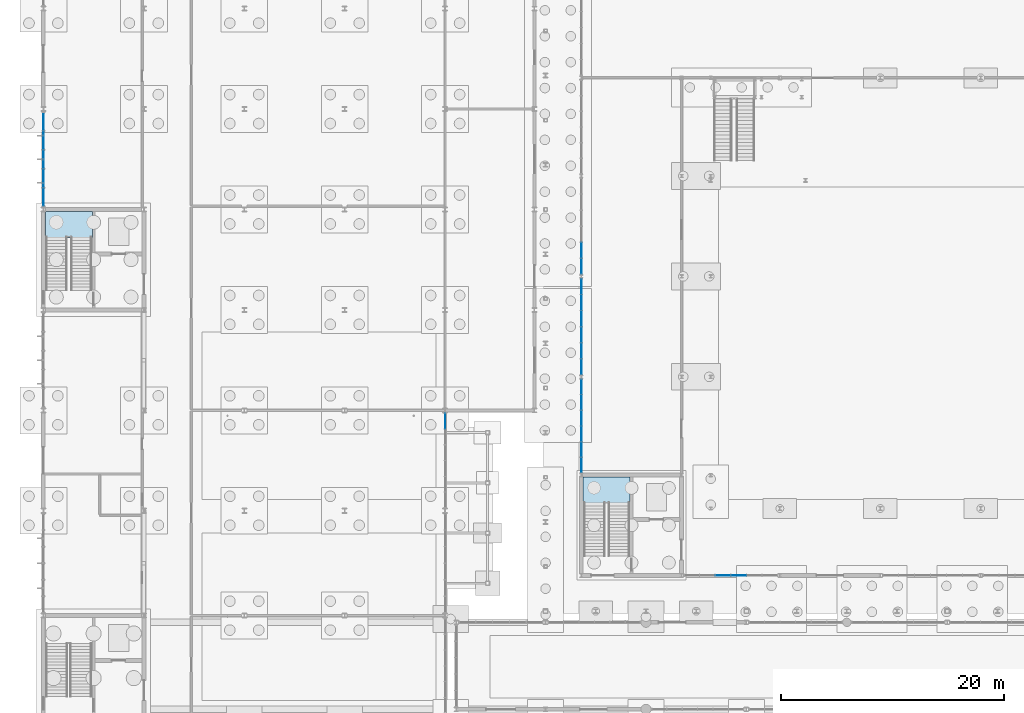
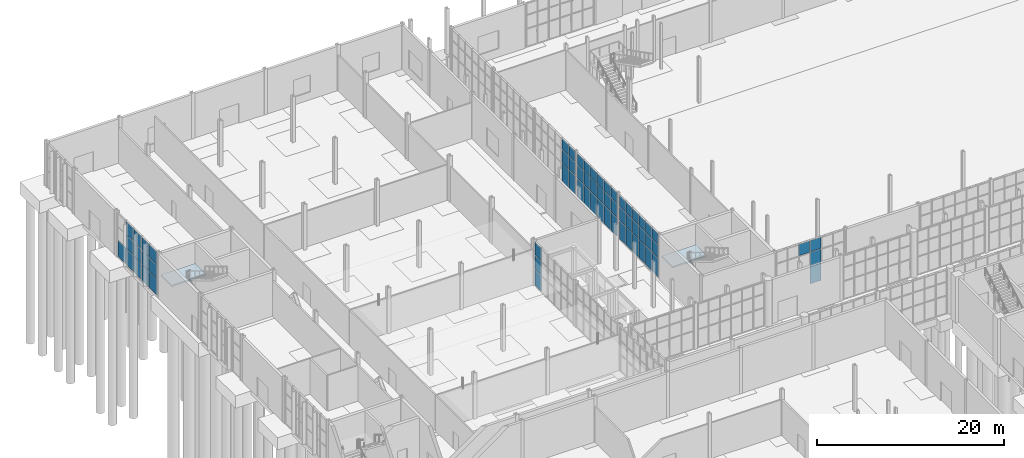
# One storey, part 81 of 131: 62 plates, 2 slabs, 8 elements without a shape of their own.
"""IFC4 building model written with IfcOpenShell, lengths in metres."""

from ifc_helpers import new_model, si_unit, direction, frame, origin, origin_2d, place, context, subcontext, project, spatial, polyline, rectangle, outline, extrude, material, layer, layer_set, type_object, element, aggregate, save


model = new_model("IFC4")

# Units and contexts
model_context = context("Model", 3, precision=1e-05, world=origin(), true_north=direction((0.0, 1.0)))
body_context = subcontext(model_context, "Body", "Model", "MODEL_VIEW")
ifc_project = project(units=[si_unit("LENGTHUNIT", "METRE"), si_unit("AREAUNIT", "SQUARE_METRE"), si_unit("VOLUMEUNIT", "CUBIC_METRE"), si_unit("PLANEANGLEUNIT", "RADIAN"), si_unit("MASSUNIT", "GRAM", prefix="KILO")], contexts=[model_context])

# Site, building, storey
site_placement = place(None, origin())
site = spatial("IfcSite", under=ifc_project, at=site_placement, CompositionType="ELEMENT")
building_placement = place(site_placement, origin())
building = spatial("IfcBuilding", under=site, at=building_placement, Name="Cazmaro Siding Exhibition Halls", CompositionType="ELEMENT")
storey_placement = place(building_placement, origin())
storey = spatial("IfcBuildingStorey", under=building, at=storey_placement, Name="L00", CompositionType="ELEMENT", Elevation=0.0)

# Curtain wall, plates
ifc_material_1 = material(Name="Anodized Bronze Aluminum and Solar-Control Low-E Glazing", Category="aluminium")
ifc_layer_1 = layer(ifc_material_1, 0.179931640625)
ifc_layer_set_1 = layer_set([ifc_layer_1], Name="Anodized Bronze Aluminum and Solar-Control Low-E Glazing")
curtain_wall_type_1 = type_object("IfcCurtainWallType", Name="CWS-01", PredefinedType="USERDEFINED", material=ifc_layer_set_1)
curtain_wall_1_placement = place(storey_placement, origin())
curtain_wall_1 = element("IfcCurtainWall", 1, at=curtain_wall_1_placement, inside=storey, type_object=curtain_wall_type_1, Name="Glazed Curtain Wall CWS-01 CW-003", ObjectType="GLAZED CURTAIN WALL", PredefinedType="USERDEFINED")
ifc_material_2 = material(Name="Solar-Control Low-E Double Insulating Glass", Category="glass")
ifc_layer_2 = layer(ifc_material_2, 0.02392578125)
ifc_layer_set_2 = layer_set([ifc_layer_2], Name="Solar-Control Low-E Double Insulating Glass")
plate_type_1 = type_object("IfcPlateType", Name="CWP-01", PredefinedType="CURTAIN_PANEL", material=ifc_layer_set_2)
plate_1_placement = place(storey_placement, frame((60.8994140625, 67.199951171875, 4.22998046875), z_axis=(0.0, 0.0, 1.0), x_axis=(1.0, 0.0, 0.0)))
plate_1 = element("IfcPlate", 2, at=plate_1_placement, type_object=plate_type_1, Name="CWS-01 panel 3.3", PredefinedType="CURTAIN_PANEL", context=body_context, shape_type="SweptSolid", body=[
    extrude(rectangle(XDim=1.341064453125, YDim=0.02392578125, at=origin_2d()), origin(), (0.0, 0.0, 1.0), 1.489990234375),
])
plate_2_placement = place(storey_placement, frame((62.300537109375, 67.199951171875, 0.06005859375), z_axis=(0.0, 0.0, 1.0), x_axis=(1.0, 0.0, 0.0)))
plate_2 = element("IfcPlate", 3, at=plate_2_placement, type_object=plate_type_1, Name="CWS-01 panel 4.1", PredefinedType="CURTAIN_PANEL", context=body_context, shape_type="SweptSolid", body=[
    extrude(rectangle(XDim=1.341064453125, YDim=0.02392578125, at=origin_2d()), origin(), (0.0, 0.0, 1.0), 2.31005859375),
])
plate_3_placement = place(storey_placement, frame((62.300537109375, 67.199951171875, 2.43017578125), z_axis=(0.0, 0.0, 1.0), x_axis=(1.0, 0.0, 0.0)))
plate_3 = element("IfcPlate", 4, at=plate_3_placement, type_object=plate_type_1, Name="CWS-01 panel 4.2", PredefinedType="CURTAIN_PANEL", context=body_context, shape_type="SweptSolid", body=[
    extrude(rectangle(XDim=1.341064453125, YDim=0.02392578125, at=origin_2d()), origin(), (0.0, 0.0, 1.0), 1.739990234375),
])
plate_4_placement = place(storey_placement, frame((62.300537109375, 67.199951171875, 4.22998046875), z_axis=(0.0, 0.0, 1.0), x_axis=(1.0, 0.0, 0.0)))
plate_4 = element("IfcPlate", 5, at=plate_4_placement, type_object=plate_type_1, Name="CWS-01 panel 4.3", PredefinedType="CURTAIN_PANEL", context=body_context, shape_type="SweptSolid", body=[
    extrude(rectangle(XDim=1.341064453125, YDim=0.02392578125, at=origin_2d()), origin(), (0.0, 0.0, 1.0), 1.489990234375),
])
aggregate(curtain_wall_1, [plate_1, plate_2, plate_3, plate_4])

curtain_wall_2_placement = place(storey_placement, origin())
curtain_wall_2 = element("IfcCurtainWall", 6, at=curtain_wall_2_placement, inside=storey, type_object=curtain_wall_type_1, Name="Glazed Curtain Wall CWS-01 CW-226", ObjectType="GLAZED CURTAIN WALL", PredefinedType="USERDEFINED")
plate_5_placement = place(storey_placement, frame((36.0, 81.024169921875, 0.06005859375), z_axis=(0.0, 0.0, 1.0), x_axis=(0.0, 1.0, 0.0)))
plate_5 = element("IfcPlate", 7, at=plate_5_placement, type_object=plate_type_1, Name="CWS-01 panel 6.1", PredefinedType="CURTAIN_PANEL", context=body_context, shape_type="SweptSolid", body=[
    extrude(rectangle(XDim=1.32568359375, YDim=0.02392578125, at=origin_2d()), origin(), (0.0, 0.0, 1.0), 2.110107421875),
])
plate_6_placement = place(storey_placement, frame((36.0, 81.024169921875, 2.22998046875), z_axis=(0.0, 0.0, 1.0), x_axis=(0.0, 1.0, 0.0)))
plate_6 = element("IfcPlate", 8, at=plate_6_placement, type_object=plate_type_1, Name="CWS-01 panel 6.2", PredefinedType="CURTAIN_PANEL", context=body_context, shape_type="SweptSolid", body=[
    extrude(rectangle(XDim=1.32568359375, YDim=0.02392578125, at=origin_2d()), origin(), (0.0, 0.0, 1.0), 1.739990234375),
])
plate_7_placement = place(storey_placement, frame((36.0, 81.024169921875, 4.030029296875), z_axis=(0.0, 0.0, 1.0), x_axis=(0.0, 1.0, 0.0)))
plate_7 = element("IfcPlate", 9, at=plate_7_placement, type_object=plate_type_1, Name="CWS-01 panel 6.3", PredefinedType="CURTAIN_PANEL", context=body_context, shape_type="SweptSolid", body=[
    extrude(rectangle(XDim=1.32568359375, YDim=0.02392578125, at=origin_2d()), origin(), (0.0, 0.0, 1.0), 1.68994140625),
])
aggregate(curtain_wall_2, [plate_5, plate_6, plate_7])

ifc_material_3 = material(Name="Anodized Bronze Aluminum and Solar-Control Low-E Glazing", Category="aluminium")
ifc_layer_3 = layer(ifc_material_3, 0.199951171875)
ifc_layer_set_3 = layer_set([ifc_layer_3], Name="Anodized Bronze Aluminum and Solar-Control Low-E Glazing")
curtain_wall_type_2 = type_object("IfcCurtainWallType", Name="CWS-02", PredefinedType="USERDEFINED", material=ifc_layer_set_3)
curtain_wall_3_placement = place(storey_placement, origin())
curtain_wall_3 = element("IfcCurtainWall", 10, at=curtain_wall_3_placement, inside=storey, type_object=curtain_wall_type_2, Name="Glazed Curtain Wall CWS-02 CW-228", ObjectType="GLAZED CURTAIN WALL", PredefinedType="USERDEFINED")
ifc_material_4 = material(Name="Solar-Control Low-E Double Insulating Glass", Category="glass")
ifc_layer_4 = layer(ifc_material_4, 0.035888671875)
ifc_layer_set_4 = layer_set([ifc_layer_4], Name="Solar-Control Low-E Double Insulating Glass")
plate_type_2 = type_object("IfcPlateType", Name="CWP-02", PredefinedType="CURTAIN_PANEL", material=ifc_layer_set_4)
plate_8_placement = place(storey_placement, frame((0.0, 107.88134765625, 0.06494140625), z_axis=(0.0, 0.0, 1.0), x_axis=(0.0, -1.0, 0.0)))
plate_8 = element("IfcPlate", 11, at=plate_8_placement, type_object=plate_type_2, Name="CWS-02 panel 1.1", PredefinedType="CURTAIN_PANEL", context=body_context, shape_type="SweptSolid", body=[
    extrude(rectangle(XDim=1.601318359375, YDim=0.035888671875, at=origin_2d()), origin(), (0.0, 0.0, 1.0), 2.1025390625),
])
plate_9_placement = place(storey_placement, frame((0.0, 106.19873046875, 0.06494140625), z_axis=(0.0, 0.0, 1.0), x_axis=(0.0, -1.0, 0.0)))
plate_9 = element("IfcPlate", 12, at=plate_9_placement, type_object=plate_type_2, Name="CWS-02 panel 2.1", PredefinedType="CURTAIN_PANEL", context=body_context, shape_type="SweptSolid", body=[
    extrude(rectangle(XDim=1.6337890625, YDim=0.035888671875, at=origin_2d()), origin(), (0.0, 0.0, 1.0), 2.1025390625),
])
plate_10_placement = place(storey_placement, frame((0.0, 106.19873046875, 2.232421875), z_axis=(0.0, 0.0, 1.0), x_axis=(0.0, -1.0, 0.0)))
plate_10 = element("IfcPlate", 13, at=plate_10_placement, type_object=plate_type_2, Name="CWS-02 panel 2.2", PredefinedType="CURTAIN_PANEL", context=body_context, shape_type="SweptSolid", body=[
    extrude(rectangle(XDim=1.6337890625, YDim=0.035888671875, at=origin_2d()), origin(), (0.0, 0.0, 1.0), 1.735107421875),
])
plate_11_placement = place(storey_placement, frame((0.0, 106.19873046875, 4.032470703125), z_axis=(0.0, 0.0, 1.0), x_axis=(0.0, -1.0, 0.0)))
plate_11 = element("IfcPlate", 14, at=plate_11_placement, type_object=plate_type_2, Name="CWS-02 panel 2.3", PredefinedType="CURTAIN_PANEL", context=body_context, shape_type="SweptSolid", body=[
    extrude(rectangle(XDim=1.6337890625, YDim=0.035888671875, at=origin_2d()), origin(), (0.0, 0.0, 1.0), 1.6826171875),
])
plate_12_placement = place(storey_placement, frame((0.0, 104.5, 0.06494140625), z_axis=(0.0, 0.0, 1.0), x_axis=(0.0, -1.0, 0.0)))
plate_12 = element("IfcPlate", 15, at=plate_12_placement, type_object=plate_type_2, Name="CWS-02 panel 3.1", PredefinedType="CURTAIN_PANEL", context=body_context, shape_type="SweptSolid", body=[
    extrude(rectangle(XDim=1.6337890625, YDim=0.035888671875, at=origin_2d()), origin(), (0.0, 0.0, 1.0), 2.1025390625),
])
plate_13_placement = place(storey_placement, frame((0.0, 104.5, 2.232421875), z_axis=(0.0, 0.0, 1.0), x_axis=(0.0, -1.0, 0.0)))
plate_13 = element("IfcPlate", 16, at=plate_13_placement, type_object=plate_type_2, Name="CWS-02 panel 3.2", PredefinedType="CURTAIN_PANEL", context=body_context, shape_type="SweptSolid", body=[
    extrude(rectangle(XDim=1.6337890625, YDim=0.035888671875, at=origin_2d()), origin(), (0.0, 0.0, 1.0), 1.735107421875),
])
plate_14_placement = place(storey_placement, frame((0.0, 104.5, 4.032470703125), z_axis=(0.0, 0.0, 1.0), x_axis=(0.0, -1.0, 0.0)))
plate_14 = element("IfcPlate", 17, at=plate_14_placement, type_object=plate_type_2, Name="CWS-02 panel 3.3", PredefinedType="CURTAIN_PANEL", context=body_context, shape_type="SweptSolid", body=[
    extrude(rectangle(XDim=1.6337890625, YDim=0.035888671875, at=origin_2d()), origin(), (0.0, 0.0, 1.0), 1.6826171875),
])
plate_15_placement = place(storey_placement, frame((0.0, 102.80126953125, 0.06494140625), z_axis=(0.0, 0.0, 1.0), x_axis=(0.0, -1.0, 0.0)))
plate_15 = element("IfcPlate", 18, at=plate_15_placement, type_object=plate_type_2, Name="CWS-02 panel 4.1", PredefinedType="CURTAIN_PANEL", context=body_context, shape_type="SweptSolid", body=[
    extrude(rectangle(XDim=1.6337890625, YDim=0.035888671875, at=origin_2d()), origin(), (0.0, 0.0, 1.0), 2.1025390625),
])
plate_16_placement = place(storey_placement, frame((0.0, 102.80126953125, 2.232421875), z_axis=(0.0, 0.0, 1.0), x_axis=(0.0, -1.0, 0.0)))
plate_16 = element("IfcPlate", 19, at=plate_16_placement, type_object=plate_type_2, Name="CWS-02 panel 4.2", PredefinedType="CURTAIN_PANEL", context=body_context, shape_type="SweptSolid", body=[
    extrude(rectangle(XDim=1.6337890625, YDim=0.035888671875, at=origin_2d()), origin(), (0.0, 0.0, 1.0), 1.735107421875),
])
plate_17_placement = place(storey_placement, frame((0.0, 102.80126953125, 4.032470703125), z_axis=(0.0, 0.0, 1.0), x_axis=(0.0, -1.0, 0.0)))
plate_17 = element("IfcPlate", 20, at=plate_17_placement, type_object=plate_type_2, Name="CWS-02 panel 4.3", PredefinedType="CURTAIN_PANEL", context=body_context, shape_type="SweptSolid", body=[
    extrude(rectangle(XDim=1.6337890625, YDim=0.035888671875, at=origin_2d()), origin(), (0.0, 0.0, 1.0), 1.6826171875),
])
plate_18_placement = place(storey_placement, frame((0.0, 101.11865234375, 0.06494140625), z_axis=(0.0, 0.0, 1.0), x_axis=(0.0, -1.0, 0.0)))
plate_18 = element("IfcPlate", 21, at=plate_18_placement, type_object=plate_type_2, Name="CWS-02 panel 5.1", PredefinedType="CURTAIN_PANEL", context=body_context, shape_type="SweptSolid", body=[
    extrude(rectangle(XDim=1.601318359375, YDim=0.035888671875, at=origin_2d()), origin(), (0.0, 0.0, 1.0), 2.1025390625),
])
plate_19_placement = place(storey_placement, frame((0.0, 101.11865234375, 2.232421875), z_axis=(0.0, 0.0, 1.0), x_axis=(0.0, -1.0, 0.0)))
plate_19 = element("IfcPlate", 22, at=plate_19_placement, type_object=plate_type_2, Name="CWS-02 panel 5.2", PredefinedType="CURTAIN_PANEL", context=body_context, shape_type="SweptSolid", body=[
    extrude(rectangle(XDim=1.601318359375, YDim=0.035888671875, at=origin_2d()), origin(), (0.0, 0.0, 1.0), 1.735107421875),
])
plate_20_placement = place(storey_placement, frame((0.0, 101.11865234375, 4.032470703125), z_axis=(0.0, 0.0, 1.0), x_axis=(0.0, -1.0, 0.0)))
plate_20 = element("IfcPlate", 23, at=plate_20_placement, type_object=plate_type_2, Name="CWS-02 panel 5.3", PredefinedType="CURTAIN_PANEL", context=body_context, shape_type="SweptSolid", body=[
    extrude(rectangle(XDim=1.601318359375, YDim=0.035888671875, at=origin_2d()), origin(), (0.0, 0.0, 1.0), 1.6826171875),
])
aggregate(curtain_wall_3, [plate_8, plate_9, plate_10, plate_11, plate_12, plate_13, plate_14, plate_15, plate_16, plate_17, plate_18, plate_19, plate_20])

ifc_material_5 = material(Name="Anodized Bronze Aluminum and Solar-Control Low-E Glazing", Category="aluminium")
ifc_layer_5 = layer(ifc_material_5, 0.219970703125)
ifc_layer_set_5 = layer_set([ifc_layer_5], Name="Anodized Bronze Aluminum and Solar-Control Low-E Glazing")
curtain_wall_type_3 = type_object("IfcCurtainWallType", Name="CWS-03", PredefinedType="USERDEFINED", material=ifc_layer_set_5)
curtain_wall_4_placement = place(storey_placement, origin())
curtain_wall_4 = element("IfcCurtainWall", 24, at=curtain_wall_4_placement, inside=storey, type_object=curtain_wall_type_3, Name="Glazed Curtain Wall CWS-03 CW-050", ObjectType="GLAZED CURTAIN WALL", PredefinedType="USERDEFINED")
ifc_material_6 = material(Name="Solar-Control Low-E Double Insulating Glass", Category="glass")
ifc_layer_6 = layer(ifc_material_6, 0.0458984375)
ifc_layer_set_6 = layer_set([ifc_layer_6], Name="Solar-Control Low-E Double Insulating Glass")
plate_type_3 = type_object("IfcPlateType", Name="CWP-03", PredefinedType="CURTAIN_PANEL", material=ifc_layer_set_6)
plate_21_placement = place(storey_placement, frame((48.199951171875, 84.1015625, 0.070068359375), z_axis=(0.0, 0.0, 1.0), x_axis=(0.0, -1.0, 0.0)))
plate_21 = element("IfcPlate", 25, at=plate_21_placement, type_object=plate_type_3, Name="CWS-03 panel 1.1", PredefinedType="CURTAIN_PANEL", context=body_context, shape_type="SweptSolid", body=[
    extrude(rectangle(XDim=1.302734375, YDim=0.0458984375, at=origin_2d()), origin(), (0.0, 0.0, 1.0), 2.39501953125),
])
plate_22_placement = place(storey_placement, frame((48.199951171875, 84.1015625, 2.534912109375), z_axis=(0.0, 0.0, 1.0), x_axis=(0.0, -1.0, 0.0)))
plate_22 = element("IfcPlate", 26, at=plate_22_placement, type_object=plate_type_3, Name="CWS-03 panel 1.2", PredefinedType="CURTAIN_PANEL", context=body_context, shape_type="SweptSolid", body=[
    extrude(rectangle(XDim=1.302734375, YDim=0.0458984375, at=origin_2d()), origin(), (0.0, 0.0, 1.0), 1.72998046875),
])
plate_23_placement = place(storey_placement, frame((48.199951171875, 84.1015625, 4.3349609375), z_axis=(0.0, 0.0, 1.0), x_axis=(0.0, -1.0, 0.0)))
plate_23 = element("IfcPlate", 27, at=plate_23_placement, type_object=plate_type_3, Name="CWS-03 panel 1.3", PredefinedType="CURTAIN_PANEL", context=body_context, shape_type="SweptSolid", body=[
    extrude(rectangle(XDim=1.302734375, YDim=0.0458984375, at=origin_2d()), origin(), (0.0, 0.0, 1.0), 1.375),
])
plate_24_placement = place(storey_placement, frame((48.199951171875, 82.71142578125, 0.070068359375), z_axis=(0.0, 0.0, 1.0), x_axis=(0.0, -1.0, 0.0)))
plate_24 = element("IfcPlate", 28, at=plate_24_placement, type_object=plate_type_3, Name="CWS-03 panel 2.1", PredefinedType="CURTAIN_PANEL", context=body_context, shape_type="SweptSolid", body=[
    extrude(rectangle(XDim=1.337646484375, YDim=0.0458984375, at=origin_2d()), origin(), (0.0, 0.0, 1.0), 2.39501953125),
])
plate_25_placement = place(storey_placement, frame((48.199951171875, 82.71142578125, 2.534912109375), z_axis=(0.0, 0.0, 1.0), x_axis=(0.0, -1.0, 0.0)))
plate_25 = element("IfcPlate", 29, at=plate_25_placement, type_object=plate_type_3, Name="CWS-03 panel 2.2", PredefinedType="CURTAIN_PANEL", context=body_context, shape_type="SweptSolid", body=[
    extrude(rectangle(XDim=1.337646484375, YDim=0.0458984375, at=origin_2d()), origin(), (0.0, 0.0, 1.0), 1.72998046875),
])
plate_26_placement = place(storey_placement, frame((48.199951171875, 82.71142578125, 4.3349609375), z_axis=(0.0, 0.0, 1.0), x_axis=(0.0, -1.0, 0.0)))
plate_26 = element("IfcPlate", 30, at=plate_26_placement, type_object=plate_type_3, Name="CWS-03 panel 2.3", PredefinedType="CURTAIN_PANEL", context=body_context, shape_type="SweptSolid", body=[
    extrude(rectangle(XDim=1.337646484375, YDim=0.0458984375, at=origin_2d()), origin(), (0.0, 0.0, 1.0), 1.375),
])
plate_27_placement = place(storey_placement, frame((48.199951171875, 81.303955078125, 0.070068359375), z_axis=(0.0, 0.0, 1.0), x_axis=(0.0, -1.0, 0.0)))
plate_27 = element("IfcPlate", 31, at=plate_27_placement, type_object=plate_type_3, Name="CWS-03 panel 3.1", PredefinedType="CURTAIN_PANEL", context=body_context, shape_type="SweptSolid", body=[
    extrude(rectangle(XDim=1.337646484375, YDim=0.0458984375, at=origin_2d()), origin(), (0.0, 0.0, 1.0), 2.39501953125),
])
plate_28_placement = place(storey_placement, frame((48.199951171875, 81.303955078125, 2.534912109375), z_axis=(0.0, 0.0, 1.0), x_axis=(0.0, -1.0, 0.0)))
plate_28 = element("IfcPlate", 32, at=plate_28_placement, type_object=plate_type_3, Name="CWS-03 panel 3.2", PredefinedType="CURTAIN_PANEL", context=body_context, shape_type="SweptSolid", body=[
    extrude(rectangle(XDim=1.337646484375, YDim=0.0458984375, at=origin_2d()), origin(), (0.0, 0.0, 1.0), 1.72998046875),
])
plate_29_placement = place(storey_placement, frame((48.199951171875, 81.303955078125, 4.3349609375), z_axis=(0.0, 0.0, 1.0), x_axis=(0.0, -1.0, 0.0)))
plate_29 = element("IfcPlate", 33, at=plate_29_placement, type_object=plate_type_3, Name="CWS-03 panel 3.3", PredefinedType="CURTAIN_PANEL", context=body_context, shape_type="SweptSolid", body=[
    extrude(rectangle(XDim=1.337646484375, YDim=0.0458984375, at=origin_2d()), origin(), (0.0, 0.0, 1.0), 1.375),
])
plate_30_placement = place(storey_placement, frame((48.199951171875, 79.896240234375, 0.070068359375), z_axis=(0.0, 0.0, 1.0), x_axis=(0.0, -1.0, 0.0)))
plate_30 = element("IfcPlate", 34, at=plate_30_placement, type_object=plate_type_3, Name="CWS-03 panel 4.1", PredefinedType="CURTAIN_PANEL", context=body_context, shape_type="SweptSolid", body=[
    extrude(rectangle(XDim=1.337646484375, YDim=0.0458984375, at=origin_2d()), origin(), (0.0, 0.0, 1.0), 2.39501953125),
])
plate_31_placement = place(storey_placement, frame((48.199951171875, 79.896240234375, 2.534912109375), z_axis=(0.0, 0.0, 1.0), x_axis=(0.0, -1.0, 0.0)))
plate_31 = element("IfcPlate", 35, at=plate_31_placement, type_object=plate_type_3, Name="CWS-03 panel 4.2", PredefinedType="CURTAIN_PANEL", context=body_context, shape_type="SweptSolid", body=[
    extrude(rectangle(XDim=1.337646484375, YDim=0.0458984375, at=origin_2d()), origin(), (0.0, 0.0, 1.0), 1.72998046875),
])
plate_32_placement = place(storey_placement, frame((48.199951171875, 79.896240234375, 4.3349609375), z_axis=(0.0, 0.0, 1.0), x_axis=(0.0, -1.0, 0.0)))
plate_32 = element("IfcPlate", 36, at=plate_32_placement, type_object=plate_type_3, Name="CWS-03 panel 4.3", PredefinedType="CURTAIN_PANEL", context=body_context, shape_type="SweptSolid", body=[
    extrude(rectangle(XDim=1.337646484375, YDim=0.0458984375, at=origin_2d()), origin(), (0.0, 0.0, 1.0), 1.375),
])
plate_33_placement = place(storey_placement, frame((48.199951171875, 78.488525390625, 0.070068359375), z_axis=(0.0, 0.0, 1.0), x_axis=(0.0, -1.0, 0.0)))
plate_33 = element("IfcPlate", 37, at=plate_33_placement, type_object=plate_type_3, Name="CWS-03 panel 5.1", PredefinedType="CURTAIN_PANEL", context=body_context, shape_type="SweptSolid", body=[
    extrude(rectangle(XDim=1.337646484375, YDim=0.0458984375, at=origin_2d()), origin(), (0.0, 0.0, 1.0), 2.39501953125),
])
plate_34_placement = place(storey_placement, frame((48.199951171875, 78.488525390625, 2.534912109375), z_axis=(0.0, 0.0, 1.0), x_axis=(0.0, -1.0, 0.0)))
plate_34 = element("IfcPlate", 38, at=plate_34_placement, type_object=plate_type_3, Name="CWS-03 panel 5.2", PredefinedType="CURTAIN_PANEL", context=body_context, shape_type="SweptSolid", body=[
    extrude(rectangle(XDim=1.337646484375, YDim=0.0458984375, at=origin_2d()), origin(), (0.0, 0.0, 1.0), 1.72998046875),
])
plate_35_placement = place(storey_placement, frame((48.199951171875, 78.488525390625, 4.3349609375), z_axis=(0.0, 0.0, 1.0), x_axis=(0.0, -1.0, 0.0)))
plate_35 = element("IfcPlate", 39, at=plate_35_placement, type_object=plate_type_3, Name="CWS-03 panel 5.3", PredefinedType="CURTAIN_PANEL", context=body_context, shape_type="SweptSolid", body=[
    extrude(rectangle(XDim=1.337646484375, YDim=0.0458984375, at=origin_2d()), origin(), (0.0, 0.0, 1.0), 1.375),
])
plate_36_placement = place(storey_placement, frame((48.199951171875, 77.098388671875, 0.070068359375), z_axis=(0.0, 0.0, 1.0), x_axis=(0.0, -1.0, 0.0)))
plate_36 = element("IfcPlate", 40, at=plate_36_placement, type_object=plate_type_3, Name="CWS-03 panel 6.1", PredefinedType="CURTAIN_PANEL", context=body_context, shape_type="SweptSolid", body=[
    extrude(rectangle(XDim=1.302734375, YDim=0.0458984375, at=origin_2d()), origin(), (0.0, 0.0, 1.0), 2.39501953125),
])
plate_37_placement = place(storey_placement, frame((48.199951171875, 77.098388671875, 2.534912109375), z_axis=(0.0, 0.0, 1.0), x_axis=(0.0, -1.0, 0.0)))
plate_37 = element("IfcPlate", 41, at=plate_37_placement, type_object=plate_type_3, Name="CWS-03 panel 6.2", PredefinedType="CURTAIN_PANEL", context=body_context, shape_type="SweptSolid", body=[
    extrude(rectangle(XDim=1.302734375, YDim=0.0458984375, at=origin_2d()), origin(), (0.0, 0.0, 1.0), 1.72998046875),
])
plate_38_placement = place(storey_placement, frame((48.199951171875, 77.098388671875, 4.3349609375), z_axis=(0.0, 0.0, 1.0), x_axis=(0.0, -1.0, 0.0)))
plate_38 = element("IfcPlate", 42, at=plate_38_placement, type_object=plate_type_3, Name="CWS-03 panel 6.3", PredefinedType="CURTAIN_PANEL", context=body_context, shape_type="SweptSolid", body=[
    extrude(rectangle(XDim=1.302734375, YDim=0.0458984375, at=origin_2d()), origin(), (0.0, 0.0, 1.0), 1.375),
])
aggregate(curtain_wall_4, [plate_21, plate_22, plate_23, plate_24, plate_25, plate_26, plate_27, plate_28, plate_29, plate_30, plate_31, plate_32, plate_33, plate_34, plate_35, plate_36, plate_37, plate_38])

curtain_wall_5_placement = place(storey_placement, origin())
curtain_wall_5 = element("IfcCurtainWall", 43, at=curtain_wall_5_placement, inside=storey, type_object=curtain_wall_type_3, Name="Glazed Curtain Wall CWS-03 CW-053", ObjectType="GLAZED CURTAIN WALL", PredefinedType="USERDEFINED")
plate_39_placement = place(storey_placement, frame((48.199951171875, 93.0849609375, 0.070068359375), z_axis=(0.0, 0.0, 1.0), x_axis=(0.0, -1.0, 0.0)))
plate_39 = element("IfcPlate", 44, at=plate_39_placement, type_object=plate_type_3, Name="CWS-03 panel 1.1", PredefinedType="CURTAIN_PANEL", context=body_context, shape_type="SweptSolid", body=[
    extrude(rectangle(XDim=1.3359375, YDim=0.0458984375, at=origin_2d()), origin(), (0.0, 0.0, 1.0), 2.39501953125),
])
plate_40_placement = place(storey_placement, frame((48.199951171875, 93.0849609375, 2.534912109375), z_axis=(0.0, 0.0, 1.0), x_axis=(0.0, -1.0, 0.0)))
plate_40 = element("IfcPlate", 45, at=plate_40_placement, type_object=plate_type_3, Name="CWS-03 panel 1.2", PredefinedType="CURTAIN_PANEL", context=body_context, shape_type="SweptSolid", body=[
    extrude(rectangle(XDim=1.3359375, YDim=0.0458984375, at=origin_2d()), origin(), (0.0, 0.0, 1.0), 1.72998046875),
])
plate_41_placement = place(storey_placement, frame((48.199951171875, 93.0849609375, 4.3349609375), z_axis=(0.0, 0.0, 1.0), x_axis=(0.0, -1.0, 0.0)))
plate_41 = element("IfcPlate", 46, at=plate_41_placement, type_object=plate_type_3, Name="CWS-03 panel 1.3", PredefinedType="CURTAIN_PANEL", context=body_context, shape_type="SweptSolid", body=[
    extrude(rectangle(XDim=1.3359375, YDim=0.0458984375, at=origin_2d()), origin(), (0.0, 0.0, 1.0), 1.375),
])
plate_42_placement = place(storey_placement, frame((48.199951171875, 91.66162109375, 0.070068359375), z_axis=(0.0, 0.0, 1.0), x_axis=(0.0, -1.0, 0.0)))
plate_42 = element("IfcPlate", 47, at=plate_42_placement, type_object=plate_type_3, Name="CWS-03 panel 2.1", PredefinedType="CURTAIN_PANEL", context=body_context, shape_type="SweptSolid", body=[
    extrude(rectangle(XDim=1.37109375, YDim=0.0458984375, at=origin_2d()), origin(), (0.0, 0.0, 1.0), 2.39501953125),
])
plate_43_placement = place(storey_placement, frame((48.199951171875, 91.66162109375, 2.534912109375), z_axis=(0.0, 0.0, 1.0), x_axis=(0.0, -1.0, 0.0)))
plate_43 = element("IfcPlate", 48, at=plate_43_placement, type_object=plate_type_3, Name="CWS-03 panel 2.2", PredefinedType="CURTAIN_PANEL", context=body_context, shape_type="SweptSolid", body=[
    extrude(rectangle(XDim=1.37109375, YDim=0.0458984375, at=origin_2d()), origin(), (0.0, 0.0, 1.0), 1.72998046875),
])
plate_44_placement = place(storey_placement, frame((48.199951171875, 91.66162109375, 4.3349609375), z_axis=(0.0, 0.0, 1.0), x_axis=(0.0, -1.0, 0.0)))
plate_44 = element("IfcPlate", 49, at=plate_44_placement, type_object=plate_type_3, Name="CWS-03 panel 2.3", PredefinedType="CURTAIN_PANEL", context=body_context, shape_type="SweptSolid", body=[
    extrude(rectangle(XDim=1.37109375, YDim=0.0458984375, at=origin_2d()), origin(), (0.0, 0.0, 1.0), 1.375),
])
plate_45_placement = place(storey_placement, frame((48.199951171875, 90.220458984375, 0.070068359375), z_axis=(0.0, 0.0, 1.0), x_axis=(0.0, -1.0, 0.0)))
plate_45 = element("IfcPlate", 50, at=plate_45_placement, type_object=plate_type_3, Name="CWS-03 panel 3.1", PredefinedType="CURTAIN_PANEL", context=body_context, shape_type="SweptSolid", body=[
    extrude(rectangle(XDim=1.37109375, YDim=0.0458984375, at=origin_2d()), origin(), (0.0, 0.0, 1.0), 2.39501953125),
])
plate_46_placement = place(storey_placement, frame((48.199951171875, 90.220458984375, 2.534912109375), z_axis=(0.0, 0.0, 1.0), x_axis=(0.0, -1.0, 0.0)))
plate_46 = element("IfcPlate", 51, at=plate_46_placement, type_object=plate_type_3, Name="CWS-03 panel 3.2", PredefinedType="CURTAIN_PANEL", context=body_context, shape_type="SweptSolid", body=[
    extrude(rectangle(XDim=1.37109375, YDim=0.0458984375, at=origin_2d()), origin(), (0.0, 0.0, 1.0), 1.72998046875),
])
plate_47_placement = place(storey_placement, frame((48.199951171875, 90.220458984375, 4.3349609375), z_axis=(0.0, 0.0, 1.0), x_axis=(0.0, -1.0, 0.0)))
plate_47 = element("IfcPlate", 52, at=plate_47_placement, type_object=plate_type_3, Name="CWS-03 panel 3.3", PredefinedType="CURTAIN_PANEL", context=body_context, shape_type="SweptSolid", body=[
    extrude(rectangle(XDim=1.37109375, YDim=0.0458984375, at=origin_2d()), origin(), (0.0, 0.0, 1.0), 1.375),
])
plate_48_placement = place(storey_placement, frame((48.199951171875, 88.779541015625, 0.070068359375), z_axis=(0.0, 0.0, 1.0), x_axis=(0.0, -1.0, 0.0)))
plate_48 = element("IfcPlate", 53, at=plate_48_placement, type_object=plate_type_3, Name="CWS-03 panel 4.1", PredefinedType="CURTAIN_PANEL", context=body_context, shape_type="SweptSolid", body=[
    extrude(rectangle(XDim=1.37109375, YDim=0.0458984375, at=origin_2d()), origin(), (0.0, 0.0, 1.0), 2.39501953125),
])
plate_49_placement = place(storey_placement, frame((48.199951171875, 88.779541015625, 2.534912109375), z_axis=(0.0, 0.0, 1.0), x_axis=(0.0, -1.0, 0.0)))
plate_49 = element("IfcPlate", 54, at=plate_49_placement, type_object=plate_type_3, Name="CWS-03 panel 4.2", PredefinedType="CURTAIN_PANEL", context=body_context, shape_type="SweptSolid", body=[
    extrude(rectangle(XDim=1.37109375, YDim=0.0458984375, at=origin_2d()), origin(), (0.0, 0.0, 1.0), 1.72998046875),
])
plate_50_placement = place(storey_placement, frame((48.199951171875, 88.779541015625, 4.3349609375), z_axis=(0.0, 0.0, 1.0), x_axis=(0.0, -1.0, 0.0)))
plate_50 = element("IfcPlate", 55, at=plate_50_placement, type_object=plate_type_3, Name="CWS-03 panel 4.3", PredefinedType="CURTAIN_PANEL", context=body_context, shape_type="SweptSolid", body=[
    extrude(rectangle(XDim=1.37109375, YDim=0.0458984375, at=origin_2d()), origin(), (0.0, 0.0, 1.0), 1.375),
])
plate_51_placement = place(storey_placement, frame((48.199951171875, 87.33837890625, 0.070068359375), z_axis=(0.0, 0.0, 1.0), x_axis=(0.0, -1.0, 0.0)))
plate_51 = element("IfcPlate", 56, at=plate_51_placement, type_object=plate_type_3, Name="CWS-03 panel 5.1", PredefinedType="CURTAIN_PANEL", context=body_context, shape_type="SweptSolid", body=[
    extrude(rectangle(XDim=1.37109375, YDim=0.0458984375, at=origin_2d()), origin(), (0.0, 0.0, 1.0), 2.39501953125),
])
plate_52_placement = place(storey_placement, frame((48.199951171875, 87.33837890625, 2.534912109375), z_axis=(0.0, 0.0, 1.0), x_axis=(0.0, -1.0, 0.0)))
plate_52 = element("IfcPlate", 57, at=plate_52_placement, type_object=plate_type_3, Name="CWS-03 panel 5.2", PredefinedType="CURTAIN_PANEL", context=body_context, shape_type="SweptSolid", body=[
    extrude(rectangle(XDim=1.37109375, YDim=0.0458984375, at=origin_2d()), origin(), (0.0, 0.0, 1.0), 1.72998046875),
])
plate_53_placement = place(storey_placement, frame((48.199951171875, 87.33837890625, 4.3349609375), z_axis=(0.0, 0.0, 1.0), x_axis=(0.0, -1.0, 0.0)))
plate_53 = element("IfcPlate", 58, at=plate_53_placement, type_object=plate_type_3, Name="CWS-03 panel 5.3", PredefinedType="CURTAIN_PANEL", context=body_context, shape_type="SweptSolid", body=[
    extrude(rectangle(XDim=1.37109375, YDim=0.0458984375, at=origin_2d()), origin(), (0.0, 0.0, 1.0), 1.375),
])
plate_54_placement = place(storey_placement, frame((48.199951171875, 85.9150390625, 0.070068359375), z_axis=(0.0, 0.0, 1.0), x_axis=(0.0, -1.0, 0.0)))
plate_54 = element("IfcPlate", 59, at=plate_54_placement, type_object=plate_type_3, Name="CWS-03 panel 6.1", PredefinedType="CURTAIN_PANEL", context=body_context, shape_type="SweptSolid", body=[
    extrude(rectangle(XDim=1.3359375, YDim=0.0458984375, at=origin_2d()), origin(), (0.0, 0.0, 1.0), 2.39501953125),
])
plate_55_placement = place(storey_placement, frame((48.199951171875, 85.9150390625, 2.534912109375), z_axis=(0.0, 0.0, 1.0), x_axis=(0.0, -1.0, 0.0)))
plate_55 = element("IfcPlate", 60, at=plate_55_placement, type_object=plate_type_3, Name="CWS-03 panel 6.2", PredefinedType="CURTAIN_PANEL", context=body_context, shape_type="SweptSolid", body=[
    extrude(rectangle(XDim=1.3359375, YDim=0.0458984375, at=origin_2d()), origin(), (0.0, 0.0, 1.0), 1.72998046875),
])
plate_56_placement = place(storey_placement, frame((48.199951171875, 85.9150390625, 4.3349609375), z_axis=(0.0, 0.0, 1.0), x_axis=(0.0, -1.0, 0.0)))
plate_56 = element("IfcPlate", 61, at=plate_56_placement, type_object=plate_type_3, Name="CWS-03 panel 6.3", PredefinedType="CURTAIN_PANEL", context=body_context, shape_type="SweptSolid", body=[
    extrude(rectangle(XDim=1.3359375, YDim=0.0458984375, at=origin_2d()), origin(), (0.0, 0.0, 1.0), 1.375),
])
aggregate(curtain_wall_5, [plate_39, plate_40, plate_41, plate_42, plate_43, plate_44, plate_45, plate_46, plate_47, plate_48, plate_49, plate_50, plate_51, plate_52, plate_53, plate_54, plate_55, plate_56])

curtain_wall_6_placement = place(storey_placement, origin())
curtain_wall_6 = element("IfcCurtainWall", 62, at=curtain_wall_6_placement, inside=storey, type_object=curtain_wall_type_3, Name="Glazed Curtain Wall CWS-03 CW-056", ObjectType="GLAZED CURTAIN WALL", PredefinedType="USERDEFINED")
plate_57_placement = place(storey_placement, frame((48.199951171875, 96.33837890625, 0.070068359375), z_axis=(0.0, 0.0, 1.0), x_axis=(0.0, -1.0, 0.0)))
plate_57 = element("IfcPlate", 63, at=plate_57_placement, type_object=plate_type_3, Name="CWS-03 panel 5.1", PredefinedType="CURTAIN_PANEL", context=body_context, shape_type="SweptSolid", body=[
    extrude(rectangle(XDim=1.37109375, YDim=0.0458984375, at=origin_2d()), origin(), (0.0, 0.0, 1.0), 2.39501953125),
])
plate_58_placement = place(storey_placement, frame((48.199951171875, 96.33837890625, 2.534912109375), z_axis=(0.0, 0.0, 1.0), x_axis=(0.0, -1.0, 0.0)))
plate_58 = element("IfcPlate", 64, at=plate_58_placement, type_object=plate_type_3, Name="CWS-03 panel 5.2", PredefinedType="CURTAIN_PANEL", context=body_context, shape_type="SweptSolid", body=[
    extrude(rectangle(XDim=1.37109375, YDim=0.0458984375, at=origin_2d()), origin(), (0.0, 0.0, 1.0), 1.72998046875),
])
plate_59_placement = place(storey_placement, frame((48.199951171875, 96.33837890625, 4.3349609375), z_axis=(0.0, 0.0, 1.0), x_axis=(0.0, -1.0, 0.0)))
plate_59 = element("IfcPlate", 65, at=plate_59_placement, type_object=plate_type_3, Name="CWS-03 panel 5.3", PredefinedType="CURTAIN_PANEL", context=body_context, shape_type="SweptSolid", body=[
    extrude(rectangle(XDim=1.37109375, YDim=0.0458984375, at=origin_2d()), origin(), (0.0, 0.0, 1.0), 1.375),
])
plate_60_placement = place(storey_placement, frame((48.199951171875, 94.9150390625, 0.070068359375), z_axis=(0.0, 0.0, 1.0), x_axis=(0.0, -1.0, 0.0)))
plate_60 = element("IfcPlate", 66, at=plate_60_placement, type_object=plate_type_3, Name="CWS-03 panel 6.1", PredefinedType="CURTAIN_PANEL", context=body_context, shape_type="SweptSolid", body=[
    extrude(rectangle(XDim=1.3359375, YDim=0.0458984375, at=origin_2d()), origin(), (0.0, 0.0, 1.0), 2.39501953125),
])
plate_61_placement = place(storey_placement, frame((48.199951171875, 94.9150390625, 2.534912109375), z_axis=(0.0, 0.0, 1.0), x_axis=(0.0, -1.0, 0.0)))
plate_61 = element("IfcPlate", 67, at=plate_61_placement, type_object=plate_type_3, Name="CWS-03 panel 6.2", PredefinedType="CURTAIN_PANEL", context=body_context, shape_type="SweptSolid", body=[
    extrude(rectangle(XDim=1.3359375, YDim=0.0458984375, at=origin_2d()), origin(), (0.0, 0.0, 1.0), 1.72998046875),
])
plate_62_placement = place(storey_placement, frame((48.199951171875, 94.9150390625, 4.3349609375), z_axis=(0.0, 0.0, 1.0), x_axis=(0.0, -1.0, 0.0)))
plate_62 = element("IfcPlate", 68, at=plate_62_placement, type_object=plate_type_3, Name="CWS-03 panel 6.3", PredefinedType="CURTAIN_PANEL", context=body_context, shape_type="SweptSolid", body=[
    extrude(rectangle(XDim=1.3359375, YDim=0.0458984375, at=origin_2d()), origin(), (0.0, 0.0, 1.0), 1.375),
])
aggregate(curtain_wall_6, [plate_57, plate_58, plate_59, plate_60, plate_61, plate_62])

# Stair, slab
ifc_material_7 = material(Name="Concrete f'c 40 MPa", Category="concrete")
stair_type_1 = type_object("IfcStairType", Name="STT-01", PredefinedType="TWO_STRAIGHT_RUN_STAIR", material=ifc_material_7)
stair_1_placement = place(storey_placement, origin())
stair_1 = element("IfcStair", 69, at=stair_1_placement, inside=storey, type_object=stair_type_1, Name="Core C1 Exit Stair L00-L01 ST-01", PredefinedType="TWO_STRAIGHT_RUN_STAIR")
ifc_material_8 = material(Name="Concrete f'c 40 MPa", Category="concrete")
ifc_layer_7 = layer(ifc_material_8, 0.199951171875)
ifc_layer_set_7 = layer_set([ifc_layer_7], Name="Concrete f'c 40 MPa")
slab_type_1 = type_object("IfcSlabType", Name="LND-01", PredefinedType="LANDING", material=ifc_layer_set_7)
slab_1_placement = place(storey_placement, frame((0.0, 0.0, 2.800048828125)))
slab_1 = element("IfcSlab", 70, at=slab_1_placement, type_object=slab_type_1, Name="ST-01 landing 1", PredefinedType="LANDING", context=body_context, shape_type="SweptSolid", body=[
    extrude(outline(polyline([(48.375, 73.699951171875), (52.580078125, 73.699951171875), (52.580078125, 76.02490234375), (48.375, 76.02490234375), (48.375, 73.699951171875)])), origin(), (0.0, 0.0, 1.0), 0.199951171875),
])
aggregate(stair_1, [slab_1])

ifc_material_9 = material(Name="Concrete f'c 40 MPa", Category="concrete")
stair_type_2 = type_object("IfcStairType", Name="STT-18", PredefinedType="TWO_STRAIGHT_RUN_STAIR", material=ifc_material_9)
stair_2_placement = place(storey_placement, origin())
stair_2 = element("IfcStair", 71, at=stair_2_placement, inside=storey, type_object=stair_type_2, Name="Core C8 Exit Stair L00-L01 ST-18", PredefinedType="TWO_STRAIGHT_RUN_STAIR")
ifc_material_10 = material(Name="Concrete f'c 40 MPa", Category="concrete")
ifc_layer_8 = layer(ifc_material_10, 0.199951171875)
ifc_layer_set_8 = layer_set([ifc_layer_8], Name="Concrete f'c 40 MPa")
slab_type_2 = type_object("IfcSlabType", Name="LND-18", PredefinedType="LANDING", material=ifc_layer_set_8)
slab_2_placement = place(storey_placement, frame((0.0, 0.0, 2.800048828125)))
slab_2 = element("IfcSlab", 72, at=slab_2_placement, type_object=slab_type_2, Name="ST-18 landing 1", PredefinedType="LANDING", context=body_context, shape_type="SweptSolid", body=[
    extrude(outline(polyline([(0.175048828125, 97.5), (4.3798828125, 97.5), (4.3798828125, 99.824951171875), (0.175048828125, 99.824951171875), (0.175048828125, 97.5)])), origin(), (0.0, 0.0, 1.0), 0.199951171875),
])
aggregate(stair_2, [slab_2])

save(model, "model.ifc")
